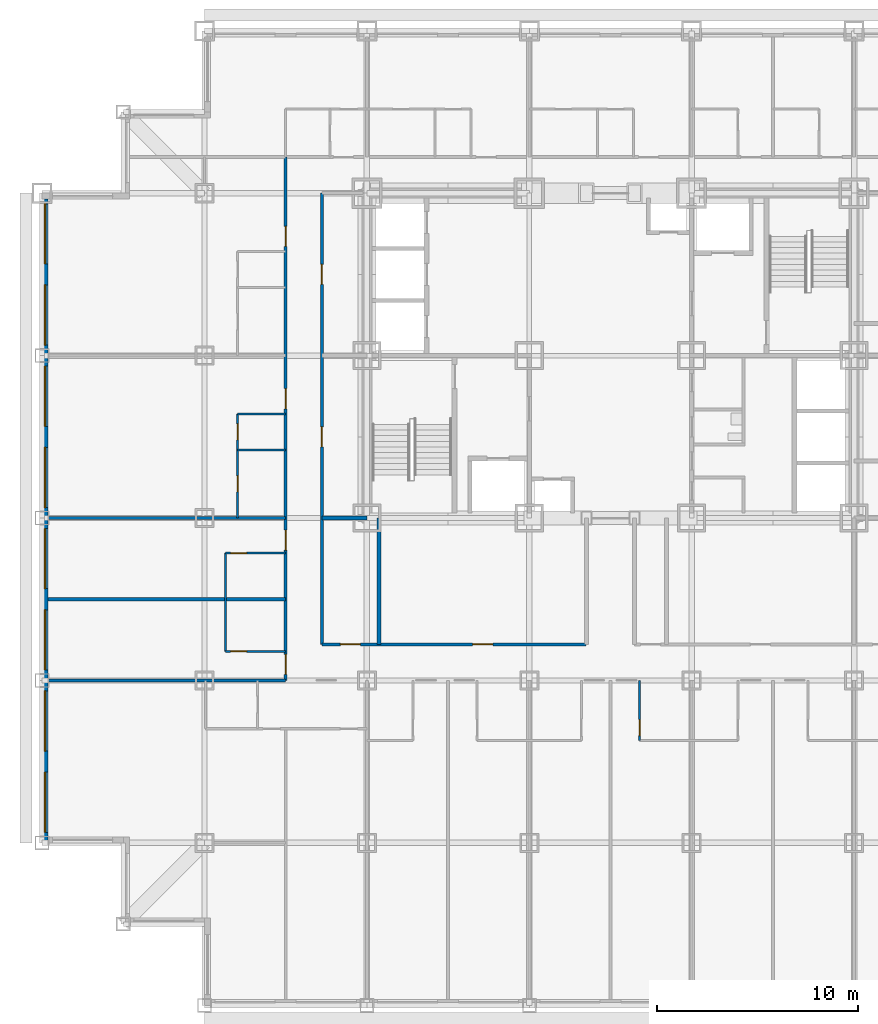
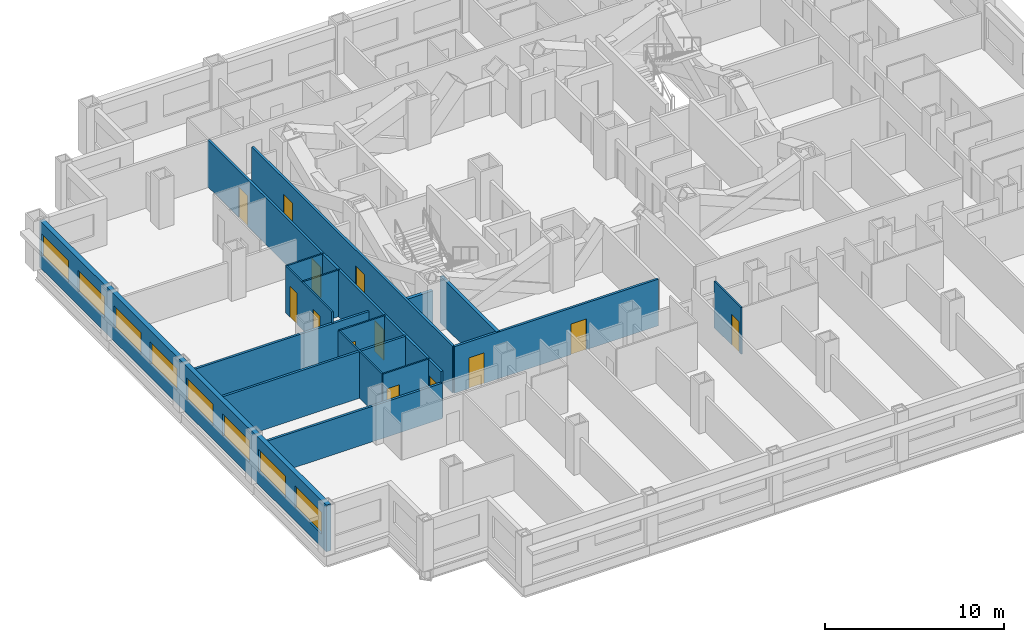
# One storey, part 4 of 12: 16 walls, 13 doors, 8 windows, 21 openings.
"""IFC4 building model written with IfcOpenShell, lengths in metres."""

from ifc_helpers import new_model, si_unit, direction, frame, frame_2d, origin, place, context, subcontext, project, spatial, rectangle, extrude, material, layer, layer_set, type_object, element, fill, save


model = new_model("IFC4")

# Units and contexts
model_context = context("Model", 3, precision=1e-05, world=origin(), true_north=direction((0.0, 1.0)))
body_context = subcontext(model_context, "Body", "Model", "MODEL_VIEW")
ifc_project = project(units=[si_unit("LENGTHUNIT", "METRE"), si_unit("AREAUNIT", "SQUARE_METRE"), si_unit("VOLUMEUNIT", "CUBIC_METRE"), si_unit("PLANEANGLEUNIT", "RADIAN"), si_unit("MASSUNIT", "GRAM", prefix="KILO")], contexts=[model_context])

# Site, building, storey
site_placement = place(None, origin())
site = spatial("IfcSite", under=ifc_project, at=site_placement, CompositionType="ELEMENT")
building_placement = place(site_placement, origin())
building = spatial("IfcBuilding", under=site, at=building_placement, Name="Kopane Lantern Tower", CompositionType="ELEMENT")
storey_placement = place(building_placement, frame((0.0, 0.0, 80.60009765625)))
storey = spatial("IfcBuildingStorey", under=building, at=storey_placement, Name="L20", CompositionType="ELEMENT", Elevation=80.60009765625)

# Wall, opening, door
ifc_material_1 = material(Name="Moisture-resistant board on steel studs", Category="steel")
ifc_layer_1 = layer(ifc_material_1, 0.10009765625)
ifc_layer_set_1 = layer_set([ifc_layer_1], Name="BATHROOM WALL 100")
wall_type_1 = type_object("IfcWallType", Name="BATHROOM WALL 100", PredefinedType="PARTITIONING", material=ifc_layer_set_1)
wall_1_placement = place(storey_placement, frame((29.800048828125, 16.199951171875, 0.0), z_axis=(0.0, 0.0, 1.0), x_axis=(0.0, -1.0, 0.0)))
wall_1 = element("IfcWall", 1, at=wall_1_placement, inside=storey, type_object=wall_type_1, Name="Bathroom Wall 100 L20", PredefinedType="PARTITIONING", context=body_context, shape_type="SweptSolid", body=[
    extrude(rectangle(XDim=3.0, YDim=0.10009765625, at=frame_2d((1.5, 0.0))), origin(), (0.0, 0.0, 1.0), 3.18994140625),
])
opening_1_placement = place(wall_1_placement, frame((1.949951171875, 0.0, 0.0)))
opening_1 = element("IfcOpeningElement", 2, at=opening_1_placement, cuts=wall_1, Name="Opening L20-019", PredefinedType="OPENING", context=body_context, shape_type="SweptSolid", body=[
    extrude(rectangle(XDim=0.800048828125, YDim=2.10009765625, at=frame_2d((0.39990234375, 1.050048828125))), frame((0.0, 0.06005859375, 0.0), z_axis=(0.0, -1.0, 0.0), x_axis=(1.0, 0.0, 0.0)), (0.0, 0.0, 1.0), 0.1201171875),
])
ifc_material_2 = material(Name="Timber door set", Category="wood")
door_type_1 = type_object("IfcDoorType", Name="DOOR D2 800x2100", OperationType="SINGLE_SWING_LEFT", PredefinedType="DOOR", material=ifc_material_2)
door_1_placement = place(opening_1_placement, origin())
door_1 = element("IfcDoor", 3, at=door_1_placement, inside=storey, type_object=door_type_1, Name="Door L20-019", OperationType="SINGLE_SWING_RIGHT", OverallHeight=2.10009765625, OverallWidth=0.800048828125, PredefinedType="DOOR", context=body_context, shape_type="SweptSolid", body=[
    extrude(rectangle(XDim=0.800048828125, YDim=2.10009765625, at=frame_2d((0.39990234375, 1.050048828125))), frame((0.0, 0.02490234375, 0.0), z_axis=(0.0, -1.0, 0.0), x_axis=(1.0, 0.0, 0.0)), (0.0, 0.0, 1.0), 0.050048828125),
])
fill(opening_1, door_1)

# Wall
wall_2_placement = place(storey_placement, frame((9.14990234375, 17.64990234375, 0.0), z_axis=(0.0, 0.0, 1.0), x_axis=(0.0, 1.0, 0.0)))
element("IfcWall", 4, at=wall_2_placement, inside=storey, type_object=wall_type_1, Name="Bathroom Wall 100 L20", PredefinedType="PARTITIONING", context=body_context, shape_type="SweptSolid", body=[
    extrude(rectangle(XDim=4.900146484375, YDim=0.10009765625, at=frame_2d((2.4501953125, 0.0))), origin(), (0.0, 0.0, 1.0), 3.18994140625),
])

# Wall, opening, door
wall_3_placement = place(storey_placement, frame((12.14990234375, 17.64990234375, 0.0), z_axis=(0.0, 0.0, 1.0), x_axis=(-1.0, 0.0, 0.0)))
wall_3 = element("IfcWall", 5, at=wall_3_placement, inside=storey, type_object=wall_type_1, Name="Bathroom Wall 100 L20", PredefinedType="PARTITIONING", context=body_context, shape_type="SweptSolid", body=[
    extrude(rectangle(XDim=3.0, YDim=0.10009765625, at=frame_2d((1.5, 0.0))), origin(), (0.0, 0.0, 1.0), 3.18994140625),
])
opening_2_placement = place(wall_3_placement, frame((1.949951171875, 0.0, 0.0)))
opening_2 = element("IfcOpeningElement", 6, at=opening_2_placement, cuts=wall_3, Name="Opening L20-039", PredefinedType="OPENING", context=body_context, shape_type="SweptSolid", body=[
    extrude(rectangle(XDim=0.800048828125, YDim=2.10009765625, at=frame_2d((0.39990234375, 1.050048828125))), frame((0.0, 0.06005859375, 0.0), z_axis=(0.0, -1.0, 0.0), x_axis=(1.0, 0.0, 0.0)), (0.0, 0.0, 1.0), 0.1201171875),
])
door_2_placement = place(opening_2_placement, origin())
door_2 = element("IfcDoor", 7, at=door_2_placement, inside=storey, type_object=door_type_1, Name="Door L20-039", OperationType="SINGLE_SWING_LEFT", OverallHeight=2.10009765625, OverallWidth=0.800048828125, PredefinedType="DOOR", context=body_context, shape_type="SweptSolid", body=[
    extrude(rectangle(XDim=0.800048828125, YDim=2.10009765625, at=frame_2d((0.39990234375, 1.050048828125))), frame((0.0, 0.02490234375, 0.0), z_axis=(0.0, -1.0, 0.0), x_axis=(1.0, 0.0, 0.0)), (0.0, 0.0, 1.0), 0.050048828125),
])
fill(opening_2, door_2)

wall_4_placement = place(storey_placement, frame((12.14990234375, 22.550048828125, 0.0), z_axis=(0.0, 0.0, 1.0), x_axis=(-1.0, 0.0, 0.0)))
wall_4 = element("IfcWall", 8, at=wall_4_placement, inside=storey, type_object=wall_type_1, Name="Bathroom Wall 100 L20", PredefinedType="PARTITIONING", context=body_context, shape_type="SweptSolid", body=[
    extrude(rectangle(XDim=3.0, YDim=0.10009765625, at=frame_2d((1.5, 0.0))), origin(), (0.0, 0.0, 1.0), 3.18994140625),
])
opening_3_placement = place(wall_4_placement, frame((1.949951171875, 0.0, 0.0)))
opening_3 = element("IfcOpeningElement", 9, at=opening_3_placement, cuts=wall_4, Name="Opening L20-041", PredefinedType="OPENING", context=body_context, shape_type="SweptSolid", body=[
    extrude(rectangle(XDim=0.800048828125, YDim=2.10009765625, at=frame_2d((0.39990234375, 1.050048828125))), frame((0.0, 0.06005859375, 0.0), z_axis=(0.0, -1.0, 0.0), x_axis=(1.0, 0.0, 0.0)), (0.0, 0.0, 1.0), 0.1201171875),
])
door_3_placement = place(opening_3_placement, origin())
door_3 = element("IfcDoor", 10, at=door_3_placement, inside=storey, type_object=door_type_1, Name="Door L20-041", OperationType="SINGLE_SWING_RIGHT", OverallHeight=2.10009765625, OverallWidth=0.800048828125, PredefinedType="DOOR", context=body_context, shape_type="SweptSolid", body=[
    extrude(rectangle(XDim=0.800048828125, YDim=2.10009765625, at=frame_2d((0.39990234375, 1.050048828125))), frame((0.0, 0.02490234375, 0.0), z_axis=(0.0, -1.0, 0.0), x_axis=(1.0, 0.0, 0.0)), (0.0, 0.0, 1.0), 0.050048828125),
])
fill(opening_3, door_3)

# Wall, openings, doors
wall_5_placement = place(storey_placement, frame((9.75, 24.300048828125, 0.0), z_axis=(0.0, 0.0, 1.0), x_axis=(0.0, 1.0, 0.0)))
wall_5 = element("IfcWall", 11, at=wall_5_placement, inside=storey, type_object=wall_type_1, Name="Bathroom Wall 100 L20", PredefinedType="PARTITIONING", context=body_context, shape_type="SweptSolid", body=[
    extrude(rectangle(XDim=5.199951171875, YDim=0.10009765625, at=frame_2d((2.60009765625, 0.0))), origin(), (0.0, 0.0, 1.0), 3.18994140625),
])
opening_4_placement = place(wall_5_placement, frame((1.300048828125, 0.0, 0.0)))
opening_4 = element("IfcOpeningElement", 12, at=opening_4_placement, cuts=wall_5, Name="Opening L20-043", PredefinedType="OPENING", context=body_context, shape_type="SweptSolid", body=[
    extrude(rectangle(XDim=0.800048828125, YDim=2.10009765625, at=frame_2d((0.39990234375, 1.050048828125))), frame((0.0, 0.06005859375, 0.0), z_axis=(0.0, -1.0, 0.0), x_axis=(1.0, 0.0, 0.0)), (0.0, 0.0, 1.0), 0.1201171875),
])
opening_5_placement = place(wall_5_placement, frame((3.89990234375, 0.0, 0.0)))
opening_5 = element("IfcOpeningElement", 13, at=opening_5_placement, cuts=wall_5, Name="Opening L20-044", PredefinedType="OPENING", context=body_context, shape_type="SweptSolid", body=[
    extrude(rectangle(XDim=0.800048828125, YDim=2.10009765625, at=frame_2d((0.39990234375, 1.050048828125))), frame((0.0, 0.06005859375, 0.0), z_axis=(0.0, -1.0, 0.0), x_axis=(1.0, 0.0, 0.0)), (0.0, 0.0, 1.0), 0.1201171875),
])
door_4_placement = place(opening_4_placement, origin())
door_4 = element("IfcDoor", 14, at=door_4_placement, inside=storey, type_object=door_type_1, Name="Door L20-043", OperationType="SINGLE_SWING_LEFT", OverallHeight=2.10009765625, OverallWidth=0.800048828125, PredefinedType="DOOR", context=body_context, shape_type="SweptSolid", body=[
    extrude(rectangle(XDim=0.800048828125, YDim=2.10009765625, at=frame_2d((0.39990234375, 1.050048828125))), frame((0.0, 0.02490234375, 0.0), z_axis=(0.0, -1.0, 0.0), x_axis=(1.0, 0.0, 0.0)), (0.0, 0.0, 1.0), 0.050048828125),
])
fill(opening_4, door_4)
door_5_placement = place(opening_5_placement, origin())
door_5 = element("IfcDoor", 15, at=door_5_placement, inside=storey, type_object=door_type_1, Name="Door L20-044", OperationType="SINGLE_SWING_LEFT", OverallHeight=2.10009765625, OverallWidth=0.800048828125, PredefinedType="DOOR", context=body_context, shape_type="SweptSolid", body=[
    extrude(rectangle(XDim=0.800048828125, YDim=2.10009765625, at=frame_2d((0.39990234375, 1.050048828125))), frame((0.0, 0.02490234375, 0.0), z_axis=(0.0, -1.0, 0.0), x_axis=(1.0, 0.0, 0.0)), (0.0, 0.0, 1.0), 0.050048828125),
])
fill(opening_5, door_5)

# Walls
for number, where, z_axis, x_axis, name in (
    (16, (12.14990234375, 27.699951171875, 0.0), (0.0, 0.0, 1.0), (-1.0, 0.0, 0.0), "Bathroom Wall 100 L20"),
    (17, (12.14990234375, 29.5, 0.0), (0.0, 0.0, 1.0), (-1.0, 0.0, 0.0), "Bathroom Wall 100 L20"),
):
    element("IfcWall", number, at=place(storey_placement, frame(where, z_axis=z_axis, x_axis=x_axis)), inside=storey, type_object=wall_type_1, Name=name, PredefinedType="PARTITIONING", context=body_context, shape_type="SweptSolid", body=[
        extrude(rectangle(XDim=2.39990234375, YDim=0.10009765625, at=frame_2d((1.199951171875, 0.0))), origin(), (0.0, 0.0, 1.0), 3.18994140625),
    ])

# Wall, openings, doors
ifc_material_3 = material(Name="Gypsum board on steel studs", Category="steel")
ifc_layer_2 = layer(ifc_material_3, 0.14990234375)
ifc_layer_set_2 = layer_set([ifc_layer_2], Name="CORRIDOR WALL 150 EI 60")
wall_type_2 = type_object("IfcWallType", Name="CORRIDOR WALL 150 EI 60", PredefinedType="PARTITIONING", material=ifc_layer_set_2)
wall_6_placement = place(storey_placement, frame((12.14990234375, 16.199951171875, 0.0), z_axis=(0.0, 0.0, 1.0), x_axis=(0.0, 1.0, 0.0)))
wall_6 = element("IfcWall", 18, at=wall_6_placement, inside=storey, type_object=wall_type_2, Name="Corridor Wall 150 Ei 60 L20", PredefinedType="PARTITIONING", context=body_context, shape_type="SweptSolid", body=[
    extrude(rectangle(XDim=26.10009765625, YDim=0.14990234375, at=frame_2d((13.050048828125, 0.0))), origin(), (0.0, 0.0, 1.0), 3.18994140625),
])
opening_6_placement = place(wall_6_placement, frame((0.300048828125, 0.0, 0.0)))
opening_6 = element("IfcOpeningElement", 19, at=opening_6_placement, cuts=wall_6, Name="Opening L20-040", PredefinedType="OPENING", context=body_context, shape_type="SweptSolid", body=[
    extrude(rectangle(XDim=1.0, YDim=2.10009765625, at=frame_2d((0.5, 1.050048828125))), frame((0.0, 0.0849609375, 0.0), z_axis=(0.0, -1.0, 0.0), x_axis=(1.0, 0.0, 0.0)), (0.0, 0.0, 1.0), 0.169921875),
])
opening_7_placement = place(wall_6_placement, frame((6.5, 0.0, 0.0)))
opening_7 = element("IfcOpeningElement", 20, at=opening_7_placement, cuts=wall_6, Name="Opening L20-042", PredefinedType="OPENING", context=body_context, shape_type="SweptSolid", body=[
    extrude(rectangle(XDim=1.0, YDim=2.10009765625, at=frame_2d((0.5, 1.050048828125))), frame((0.0, 0.0849609375, 0.0), z_axis=(0.0, -1.0, 0.0), x_axis=(1.0, 0.0, 0.0)), (0.0, 0.0, 1.0), 0.169921875),
])
opening_8_placement = place(wall_6_placement, frame((13.550048828125, 0.0, 0.0)))
opening_8 = element("IfcOpeningElement", 21, at=opening_8_placement, cuts=wall_6, Name="Opening L20-045", PredefinedType="OPENING", context=body_context, shape_type="SweptSolid", body=[
    extrude(rectangle(XDim=1.0, YDim=2.10009765625, at=frame_2d((0.5, 1.050048828125))), frame((0.0, 0.0849609375, 0.0), z_axis=(0.0, -1.0, 0.0), x_axis=(1.0, 0.0, 0.0)), (0.0, 0.0, 1.0), 0.169921875),
])
opening_9_placement = place(wall_6_placement, frame((21.64990234375, 0.0, 0.0)))
opening_9 = element("IfcOpeningElement", 22, at=opening_9_placement, cuts=wall_6, Name="Opening L20-048", PredefinedType="OPENING", context=body_context, shape_type="SweptSolid", body=[
    extrude(rectangle(XDim=1.0, YDim=2.10009765625, at=frame_2d((0.5, 1.050048828125))), frame((0.0, 0.0849609375, 0.0), z_axis=(0.0, -1.0, 0.0), x_axis=(1.0, 0.0, 0.0)), (0.0, 0.0, 1.0), 0.169921875),
])
ifc_material_4 = material(Name="Steel door set", Category="steel")
door_type_2 = type_object("IfcDoorType", Name="DOOR D1 1000x2100 FD30S", OperationType="SINGLE_SWING_LEFT", PredefinedType="DOOR", material=ifc_material_4)
door_6_placement = place(opening_6_placement, origin())
door_6 = element("IfcDoor", 23, at=door_6_placement, inside=storey, type_object=door_type_2, Name="Door L20-040", OperationType="SINGLE_SWING_RIGHT", OverallHeight=2.10009765625, OverallWidth=1.0, PredefinedType="DOOR", context=body_context, shape_type="SweptSolid", body=[
    extrude(rectangle(XDim=1.0, YDim=2.10009765625, at=frame_2d((0.5, 1.050048828125))), frame((0.0, 0.02490234375, 0.0), z_axis=(0.0, -1.0, 0.0), x_axis=(1.0, 0.0, 0.0)), (0.0, 0.0, 1.0), 0.050048828125),
])
fill(opening_6, door_6)
door_7_placement = place(opening_7_placement, origin())
door_7 = element("IfcDoor", 24, at=door_7_placement, inside=storey, type_object=door_type_2, Name="Door L20-042", OperationType="SINGLE_SWING_LEFT", OverallHeight=2.10009765625, OverallWidth=1.0, PredefinedType="DOOR", context=body_context, shape_type="SweptSolid", body=[
    extrude(rectangle(XDim=1.0, YDim=2.10009765625, at=frame_2d((0.5, 1.050048828125))), frame((0.0, 0.02490234375, 0.0), z_axis=(0.0, -1.0, 0.0), x_axis=(1.0, 0.0, 0.0)), (0.0, 0.0, 1.0), 0.050048828125),
])
fill(opening_7, door_7)
door_8_placement = place(opening_8_placement, origin())
door_8 = element("IfcDoor", 25, at=door_8_placement, inside=storey, type_object=door_type_2, Name="Door L20-045", OperationType="SINGLE_SWING_LEFT", OverallHeight=2.10009765625, OverallWidth=1.0, PredefinedType="DOOR", context=body_context, shape_type="SweptSolid", body=[
    extrude(rectangle(XDim=1.0, YDim=2.10009765625, at=frame_2d((0.5, 1.050048828125))), frame((0.0, 0.02490234375, 0.0), z_axis=(0.0, -1.0, 0.0), x_axis=(1.0, 0.0, 0.0)), (0.0, 0.0, 1.0), 0.050048828125),
])
fill(opening_8, door_8)
door_9_placement = place(opening_9_placement, origin())
door_9 = element("IfcDoor", 26, at=door_9_placement, inside=storey, type_object=door_type_2, Name="Door L20-048", OperationType="SINGLE_SWING_LEFT", OverallHeight=2.10009765625, OverallWidth=1.0, PredefinedType="DOOR", context=body_context, shape_type="SweptSolid", body=[
    extrude(rectangle(XDim=1.0, YDim=2.10009765625, at=frame_2d((0.5, 1.050048828125))), frame((0.0, 0.02490234375, 0.0), z_axis=(0.0, -1.0, 0.0), x_axis=(1.0, 0.0, 0.0)), (0.0, 0.0, 1.0), 0.050048828125),
])
fill(opening_9, door_9)

wall_7_placement = place(storey_placement, frame((13.949951171875, 40.5, 0.0), z_axis=(0.0, 0.0, 1.0), x_axis=(0.0, -1.0, 0.0)))
wall_7 = element("IfcWall", 27, at=wall_7_placement, inside=storey, type_object=wall_type_2, Name="Corridor Wall 150 Ei 60 L20", PredefinedType="PARTITIONING", context=body_context, shape_type="SweptSolid", body=[
    extrude(rectangle(XDim=22.5, YDim=0.14990234375, at=frame_2d((11.25, 0.0))), origin(), (0.0, 0.0, 1.0), 3.18994140625),
])
opening_10_placement = place(wall_7_placement, frame((11.64990234375, 0.0, 0.0)))
opening_10 = element("IfcOpeningElement", 28, at=opening_10_placement, cuts=wall_7, Name="Opening L20-001", PredefinedType="OPENING", context=body_context, shape_type="SweptSolid", body=[
    extrude(rectangle(XDim=1.0, YDim=2.10009765625, at=frame_2d((0.5, 1.050048828125))), frame((0.0, 0.0849609375, 0.0), z_axis=(0.0, -1.0, 0.0), x_axis=(1.0, 0.0, 0.0)), (0.0, 0.0, 1.0), 0.169921875),
])
opening_11_placement = place(wall_7_placement, frame((3.550048828125, 0.0, 0.0)))
opening_11 = element("IfcOpeningElement", 29, at=opening_11_placement, cuts=wall_7, Name="Opening L20-002", PredefinedType="OPENING", context=body_context, shape_type="SweptSolid", body=[
    extrude(rectangle(XDim=1.0, YDim=2.10009765625, at=frame_2d((0.5, 1.050048828125))), frame((0.0, 0.0849609375, 0.0), z_axis=(0.0, -1.0, 0.0), x_axis=(1.0, 0.0, 0.0)), (0.0, 0.0, 1.0), 0.169921875),
])
ifc_material_5 = material(Name="Steel door set", Category="steel")
door_type_3 = type_object("IfcDoorType", Name="DOOR D5 1000x2100 FD60", OperationType="SINGLE_SWING_LEFT", PredefinedType="DOOR", material=ifc_material_5)
door_10_placement = place(opening_10_placement, origin())
door_10 = element("IfcDoor", 30, at=door_10_placement, inside=storey, type_object=door_type_3, Name="Door L20-001", OperationType="SINGLE_SWING_RIGHT", OverallHeight=2.10009765625, OverallWidth=1.0, PredefinedType="DOOR", context=body_context, shape_type="SweptSolid", body=[
    extrude(rectangle(XDim=1.0, YDim=2.10009765625, at=frame_2d((0.5, 1.050048828125))), frame((0.0, 0.02490234375, 0.0), z_axis=(0.0, -1.0, 0.0), x_axis=(1.0, 0.0, 0.0)), (0.0, 0.0, 1.0), 0.050048828125),
])
fill(opening_10, door_10)
door_11_placement = place(opening_11_placement, origin())
door_11 = element("IfcDoor", 31, at=door_11_placement, inside=storey, type_object=door_type_3, Name="Door L20-002", OperationType="SINGLE_SWING_LEFT", OverallHeight=2.10009765625, OverallWidth=1.0, PredefinedType="DOOR", context=body_context, shape_type="SweptSolid", body=[
    extrude(rectangle(XDim=1.0, YDim=2.10009765625, at=frame_2d((0.5, 1.050048828125))), frame((0.0, 0.02490234375, 0.0), z_axis=(0.0, -1.0, 0.0), x_axis=(1.0, 0.0, 0.0)), (0.0, 0.0, 1.0), 0.050048828125),
])
fill(opening_11, door_11)

wall_8_placement = place(storey_placement, frame((13.949951171875, 18.0, 0.0), z_axis=(0.0, 0.0, 1.0), x_axis=(1.0, 0.0, 0.0)))
wall_8 = element("IfcWall", 32, at=wall_8_placement, inside=storey, type_object=wall_type_2, Name="Corridor Wall 150 Ei 60 L20", PredefinedType="PARTITIONING", context=body_context, shape_type="SweptSolid", body=[
    extrude(rectangle(XDim=13.18994140625, YDim=0.14990234375, at=frame_2d((6.594970703125, 0.0))), origin(), (0.0, 0.0, 1.0), 3.18994140625),
])
opening_12_placement = place(wall_8_placement, frame((0.9287109375, 0.0, 0.0)))
opening_12 = element("IfcOpeningElement", 33, at=opening_12_placement, cuts=wall_8, Name="Opening L20-007", PredefinedType="OPENING", context=body_context, shape_type="SweptSolid", body=[
    extrude(rectangle(XDim=1.0, YDim=2.10009765625, at=frame_2d((0.5, 1.050048828125))), frame((0.0, 0.0849609375, 0.0), z_axis=(0.0, -1.0, 0.0), x_axis=(1.0, 0.0, 0.0)), (0.0, 0.0, 1.0), 0.169921875),
])
opening_13_placement = place(wall_8_placement, frame((7.528564453125, 0.0, 0.0)))
opening_13 = element("IfcOpeningElement", 34, at=opening_13_placement, cuts=wall_8, Name="Opening L20-008", PredefinedType="OPENING", context=body_context, shape_type="SweptSolid", body=[
    extrude(rectangle(XDim=1.0, YDim=2.10009765625, at=frame_2d((0.5, 1.050048828125))), frame((0.0, 0.0849609375, 0.0), z_axis=(0.0, -1.0, 0.0), x_axis=(1.0, 0.0, 0.0)), (0.0, 0.0, 1.0), 0.169921875),
])
door_12_placement = place(opening_12_placement, origin())
door_12 = element("IfcDoor", 35, at=door_12_placement, inside=storey, type_object=door_type_3, Name="Door L20-007", OperationType="SINGLE_SWING_LEFT", OverallHeight=2.10009765625, OverallWidth=1.0, PredefinedType="DOOR", context=body_context, shape_type="SweptSolid", body=[
    extrude(rectangle(XDim=1.0, YDim=2.10009765625, at=frame_2d((0.5, 1.050048828125))), frame((0.0, 0.02490234375, 0.0), z_axis=(0.0, -1.0, 0.0), x_axis=(1.0, 0.0, 0.0)), (0.0, 0.0, 1.0), 0.050048828125),
])
fill(opening_12, door_12)
door_13_placement = place(opening_13_placement, origin())
door_13 = element("IfcDoor", 36, at=door_13_placement, inside=storey, type_object=door_type_3, Name="Door L20-008", OperationType="SINGLE_SWING_RIGHT", OverallHeight=2.10009765625, OverallWidth=1.0, PredefinedType="DOOR", context=body_context, shape_type="SweptSolid", body=[
    extrude(rectangle(XDim=1.0, YDim=2.10009765625, at=frame_2d((0.5, 1.050048828125))), frame((0.0, 0.02490234375, 0.0), z_axis=(0.0, -1.0, 0.0), x_axis=(1.0, 0.0, 0.0)), (0.0, 0.0, 1.0), 0.050048828125),
])
fill(opening_13, door_13)

# Walls
ifc_material_6 = material(Name="Gypsum board on steel studs", Category="steel")
ifc_layer_3 = layer(ifc_material_6, 0.14990234375)
ifc_layer_set_3 = layer_set([ifc_layer_3], Name="DEMISING WALL 150 EI 60")
wall_type_3 = type_object("IfcWallType", Name="DEMISING WALL 150 EI 60", PredefinedType="PARTITIONING", material=ifc_layer_set_3)
wall_9_placement = place(storey_placement, frame((12.14990234375, 20.25, 0.0), z_axis=(0.0, 0.0, 1.0), x_axis=(-1.0, 0.0, 0.0)))
element("IfcWall", 37, at=wall_9_placement, inside=storey, type_object=wall_type_3, Name="Demising Wall 150 Ei 60 L20", PredefinedType="PARTITIONING", context=body_context, shape_type="SweptSolid", body=[
    extrude(rectangle(XDim=11.849853515625, YDim=0.14990234375, at=frame_2d((5.9248046875, 0.0))), origin(), (0.0, 0.0, 1.0), 3.18994140625),
])
for number, where, z_axis, x_axis, name in (
    (38, (12.14990234375, 24.300048828125, 0.0), (0.0, 0.0, 1.0), (-1.0, 0.0, 0.0), "Demising Wall 150 Ei 60 L20"),
    (39, (0.300048828125, 16.199951171875, 0.0), (0.0, 0.0, 1.0), (1.0, 0.0, 0.0), "Demising Wall 150 Ei 60 L20"),
):
    element("IfcWall", number, at=place(storey_placement, frame(where, z_axis=z_axis, x_axis=x_axis)), inside=storey, type_object=wall_type_3, Name=name, PredefinedType="PARTITIONING", context=body_context, shape_type="SweptSolid", body=[
        extrude(rectangle(XDim=11.849853515625, YDim=0.14990234375, at=frame_2d((5.9248046875, 0.0))), origin(), (0.0, 0.0, 1.0), 2.427734375),
    ])

# Wall, openings, windows
ifc_material_7 = material(Name="Terracotta rainscreen on light steel framing", Category="masonry")
ifc_layer_4 = layer(ifc_material_7, 0.300048828125)
ifc_layer_set_4 = layer_set([ifc_layer_4], Name="EXTERNAL WALL EW1 300 TERRACOTTA")
wall_type_4 = type_object("IfcWallType", Name="EXTERNAL WALL EW1 300 TERRACOTTA", PredefinedType="SOLIDWALL", material=ifc_layer_set_4)
wall_10_placement = place(storey_placement, frame((0.14990234375, 40.199951171875, 0.0), z_axis=(0.0, 0.0, 1.0), x_axis=(0.0, -1.0, 0.0)))
wall_10 = element("IfcWall", 40, at=wall_10_placement, inside=storey, type_object=wall_type_4, Name="External wall W L20", PredefinedType="SOLIDWALL", context=body_context, shape_type="SweptSolid", body=[
    extrude(rectangle(XDim=32.099853515625, YDim=0.300048828125, at=frame_2d((16.0498046875, 0.0))), origin(), (0.0, 0.0, 1.0), 3.18994140625),
])
opening_14_placement = place(wall_10_placement, frame((0.22509765625, 0.0, 0.89990234375)))
opening_14 = element("IfcOpeningElement", 41, at=opening_14_placement, cuts=wall_10, Name="Opening WR300150", PredefinedType="OPENING", context=body_context, shape_type="SweptSolid", body=[
    extrude(rectangle(XDim=3.0, YDim=1.5, at=frame_2d((1.5, 0.75))), frame((0.0, 0.159912109375, 0.0), z_axis=(0.0, -1.0, 0.0), x_axis=(1.0, 0.0, 0.0)), (0.0, 0.0, 1.0), 0.320068359375),
])
opening_15_placement = place(wall_10_placement, frame((4.27490234375, 0.0, 0.89990234375)))
opening_15 = element("IfcOpeningElement", 42, at=opening_15_placement, cuts=wall_10, Name="Opening WR300150", PredefinedType="OPENING", context=body_context, shape_type="SweptSolid", body=[
    extrude(rectangle(XDim=3.0, YDim=1.5, at=frame_2d((1.5, 0.75))), frame((0.0, 0.159912109375, 0.0), z_axis=(0.0, -1.0, 0.0), x_axis=(1.0, 0.0, 0.0)), (0.0, 0.0, 1.0), 0.320068359375),
])
opening_16_placement = place(wall_10_placement, frame((8.324951171875, 0.0, 0.89990234375)))
opening_16 = element("IfcOpeningElement", 43, at=opening_16_placement, cuts=wall_10, Name="Opening WR300150", PredefinedType="OPENING", context=body_context, shape_type="SweptSolid", body=[
    extrude(rectangle(XDim=3.0, YDim=1.5, at=frame_2d((1.5, 0.75))), frame((0.0, 0.159912109375, 0.0), z_axis=(0.0, -1.0, 0.0), x_axis=(1.0, 0.0, 0.0)), (0.0, 0.0, 1.0), 0.320068359375),
])
opening_17_placement = place(wall_10_placement, frame((12.375, 0.0, 0.89990234375)))
opening_17 = element("IfcOpeningElement", 44, at=opening_17_placement, cuts=wall_10, Name="Opening WR300150", PredefinedType="OPENING", context=body_context, shape_type="SweptSolid", body=[
    extrude(rectangle(XDim=3.0, YDim=1.5, at=frame_2d((1.5, 0.75))), frame((0.0, 0.159912109375, 0.0), z_axis=(0.0, -1.0, 0.0), x_axis=(1.0, 0.0, 0.0)), (0.0, 0.0, 1.0), 0.320068359375),
])
opening_18_placement = place(wall_10_placement, frame((16.425048828125, 0.0, 0.89990234375)))
opening_18 = element("IfcOpeningElement", 45, at=opening_18_placement, cuts=wall_10, Name="Opening WR300150", PredefinedType="OPENING", context=body_context, shape_type="SweptSolid", body=[
    extrude(rectangle(XDim=3.0, YDim=1.5, at=frame_2d((1.5, 0.75))), frame((0.0, 0.159912109375, 0.0), z_axis=(0.0, -1.0, 0.0), x_axis=(1.0, 0.0, 0.0)), (0.0, 0.0, 1.0), 0.320068359375),
])
opening_19_placement = place(wall_10_placement, frame((20.47509765625, 0.0, 0.89990234375)))
opening_19 = element("IfcOpeningElement", 46, at=opening_19_placement, cuts=wall_10, Name="Opening WR300150", PredefinedType="OPENING", context=body_context, shape_type="SweptSolid", body=[
    extrude(rectangle(XDim=3.0, YDim=1.5, at=frame_2d((1.5, 0.75))), frame((0.0, 0.159912109375, 0.0), z_axis=(0.0, -1.0, 0.0), x_axis=(1.0, 0.0, 0.0)), (0.0, 0.0, 1.0), 0.320068359375),
])
opening_20_placement = place(wall_10_placement, frame((24.52490234375, 0.0, 0.89990234375)))
opening_20 = element("IfcOpeningElement", 47, at=opening_20_placement, cuts=wall_10, Name="Opening WR300150", PredefinedType="OPENING", context=body_context, shape_type="SweptSolid", body=[
    extrude(rectangle(XDim=3.0, YDim=1.5, at=frame_2d((1.5, 0.75))), frame((0.0, 0.159912109375, 0.0), z_axis=(0.0, -1.0, 0.0), x_axis=(1.0, 0.0, 0.0)), (0.0, 0.0, 1.0), 0.320068359375),
])
opening_21_placement = place(wall_10_placement, frame((28.574951171875, 0.0, 0.89990234375)))
opening_21 = element("IfcOpeningElement", 48, at=opening_21_placement, cuts=wall_10, Name="Opening WR300150", PredefinedType="OPENING", context=body_context, shape_type="SweptSolid", body=[
    extrude(rectangle(XDim=3.0, YDim=1.5, at=frame_2d((1.5, 0.75))), frame((0.0, 0.159912109375, 0.0), z_axis=(0.0, -1.0, 0.0), x_axis=(1.0, 0.0, 0.0)), (0.0, 0.0, 1.0), 0.320068359375),
])
ifc_material_8 = material(Name="Aluminium and clear glass", Category="aluminium")
window_type = type_object("IfcWindowType", Name="RIBBON WINDOW WR300150 3000x1500", PartitioningType="SINGLE_PANEL", PredefinedType="WINDOW", material=ifc_material_8)
window_1_placement = place(opening_14_placement, origin())
window_1 = element("IfcWindow", 49, at=window_1_placement, inside=storey, type_object=window_type, Name="Window W L20", OverallHeight=1.5, OverallWidth=3.0, PartitioningType="SINGLE_PANEL", PredefinedType="WINDOW", context=body_context, shape_type="SweptSolid", body=[
    extrude(rectangle(XDim=3.0, YDim=1.5, at=frame_2d((1.5, 0.75))), frame((0.0, 0.030029296875, 0.0), z_axis=(0.0, -1.0, 0.0), x_axis=(1.0, 0.0, 0.0)), (0.0, 0.0, 1.0), 0.06005859375),
])
fill(opening_14, window_1)
window_2_placement = place(opening_15_placement, origin())
window_2 = element("IfcWindow", 50, at=window_2_placement, inside=storey, type_object=window_type, Name="Window W L20", OverallHeight=1.5, OverallWidth=3.0, PartitioningType="SINGLE_PANEL", PredefinedType="WINDOW", context=body_context, shape_type="SweptSolid", body=[
    extrude(rectangle(XDim=3.0, YDim=1.5, at=frame_2d((1.5, 0.75))), frame((0.0, 0.030029296875, 0.0), z_axis=(0.0, -1.0, 0.0), x_axis=(1.0, 0.0, 0.0)), (0.0, 0.0, 1.0), 0.06005859375),
])
fill(opening_15, window_2)
window_3_placement = place(opening_16_placement, origin())
window_3 = element("IfcWindow", 51, at=window_3_placement, inside=storey, type_object=window_type, Name="Window W L20", OverallHeight=1.5, OverallWidth=3.0, PartitioningType="SINGLE_PANEL", PredefinedType="WINDOW", context=body_context, shape_type="SweptSolid", body=[
    extrude(rectangle(XDim=3.0, YDim=1.5, at=frame_2d((1.5, 0.75))), frame((0.0, 0.030029296875, 0.0), z_axis=(0.0, -1.0, 0.0), x_axis=(1.0, 0.0, 0.0)), (0.0, 0.0, 1.0), 0.06005859375),
])
fill(opening_16, window_3)
window_4_placement = place(opening_17_placement, origin())
window_4 = element("IfcWindow", 52, at=window_4_placement, inside=storey, type_object=window_type, Name="Window W L20", OverallHeight=1.5, OverallWidth=3.0, PartitioningType="SINGLE_PANEL", PredefinedType="WINDOW", context=body_context, shape_type="SweptSolid", body=[
    extrude(rectangle(XDim=3.0, YDim=1.5, at=frame_2d((1.5, 0.75))), frame((0.0, 0.030029296875, 0.0), z_axis=(0.0, -1.0, 0.0), x_axis=(1.0, 0.0, 0.0)), (0.0, 0.0, 1.0), 0.06005859375),
])
fill(opening_17, window_4)
window_5_placement = place(opening_18_placement, origin())
window_5 = element("IfcWindow", 53, at=window_5_placement, inside=storey, type_object=window_type, Name="Window W L20", OverallHeight=1.5, OverallWidth=3.0, PartitioningType="SINGLE_PANEL", PredefinedType="WINDOW", context=body_context, shape_type="SweptSolid", body=[
    extrude(rectangle(XDim=3.0, YDim=1.5, at=frame_2d((1.5, 0.75))), frame((0.0, 0.030029296875, 0.0), z_axis=(0.0, -1.0, 0.0), x_axis=(1.0, 0.0, 0.0)), (0.0, 0.0, 1.0), 0.06005859375),
])
fill(opening_18, window_5)
window_6_placement = place(opening_19_placement, origin())
window_6 = element("IfcWindow", 54, at=window_6_placement, inside=storey, type_object=window_type, Name="Window W L20", OverallHeight=1.5, OverallWidth=3.0, PartitioningType="SINGLE_PANEL", PredefinedType="WINDOW", context=body_context, shape_type="SweptSolid", body=[
    extrude(rectangle(XDim=3.0, YDim=1.5, at=frame_2d((1.5, 0.75))), frame((0.0, 0.030029296875, 0.0), z_axis=(0.0, -1.0, 0.0), x_axis=(1.0, 0.0, 0.0)), (0.0, 0.0, 1.0), 0.06005859375),
])
fill(opening_19, window_6)
window_7_placement = place(opening_20_placement, origin())
window_7 = element("IfcWindow", 55, at=window_7_placement, inside=storey, type_object=window_type, Name="Window W L20", OverallHeight=1.5, OverallWidth=3.0, PartitioningType="SINGLE_PANEL", PredefinedType="WINDOW", context=body_context, shape_type="SweptSolid", body=[
    extrude(rectangle(XDim=3.0, YDim=1.5, at=frame_2d((1.5, 0.75))), frame((0.0, 0.030029296875, 0.0), z_axis=(0.0, -1.0, 0.0), x_axis=(1.0, 0.0, 0.0)), (0.0, 0.0, 1.0), 0.06005859375),
])
fill(opening_20, window_7)
window_8_placement = place(opening_21_placement, origin())
window_8 = element("IfcWindow", 56, at=window_8_placement, inside=storey, type_object=window_type, Name="Window W L20", OverallHeight=1.5, OverallWidth=3.0, PartitioningType="SINGLE_PANEL", PredefinedType="WINDOW", context=body_context, shape_type="SweptSolid", body=[
    extrude(rectangle(XDim=3.0, YDim=1.5, at=frame_2d((1.5, 0.75))), frame((0.0, 0.030029296875, 0.0), z_axis=(0.0, -1.0, 0.0), x_axis=(1.0, 0.0, 0.0)), (0.0, 0.0, 1.0), 0.06005859375),
])
fill(opening_21, window_8)

# Walls
ifc_material_9 = material(Name="Concrete masonry", Category="masonry")
ifc_layer_5 = layer(ifc_material_9, 0.199951171875)
ifc_layer_set_5 = layer_set([ifc_layer_5], Name="PLANT ROOM WALL 200 EI 120")
wall_type_5 = type_object("IfcWallType", Name="PLANT ROOM WALL 200 EI 120", PredefinedType="SOLIDWALL", material=ifc_layer_set_5)
wall_11_placement = place(storey_placement, frame((16.80712890625, 18.0, 0.0), z_axis=(0.0, 0.0, 1.0), x_axis=(0.0, 1.0, 0.0)))
element("IfcWall", 57, at=wall_11_placement, inside=storey, type_object=wall_type_5, Name="Plant Room Wall 200 Ei 120 L20", PredefinedType="SOLIDWALL", context=body_context, shape_type="SweptSolid", body=[
    extrude(rectangle(XDim=6.300048828125, YDim=0.199951171875, at=frame_2d((3.14990234375, 0.0))), origin(), (0.0, 0.0, 1.0), 3.18994140625),
])
wall_12_placement = place(storey_placement, frame((13.949951171875, 24.300048828125, 0.0), z_axis=(0.0, 0.0, 1.0), x_axis=(1.0, 0.0, 0.0)))
element("IfcWall", 58, at=wall_12_placement, inside=storey, type_object=wall_type_5, Name="Plant Room Wall 200 Ei 120 L20", PredefinedType="SOLIDWALL", context=body_context, shape_type="SweptSolid", body=[
    extrude(rectangle(XDim=2.25, YDim=0.199951171875, at=frame_2d((1.125, 0.0))), origin(), (0.0, 0.0, 1.0), 2.427734375),
])

save(model, "model.ifc")
